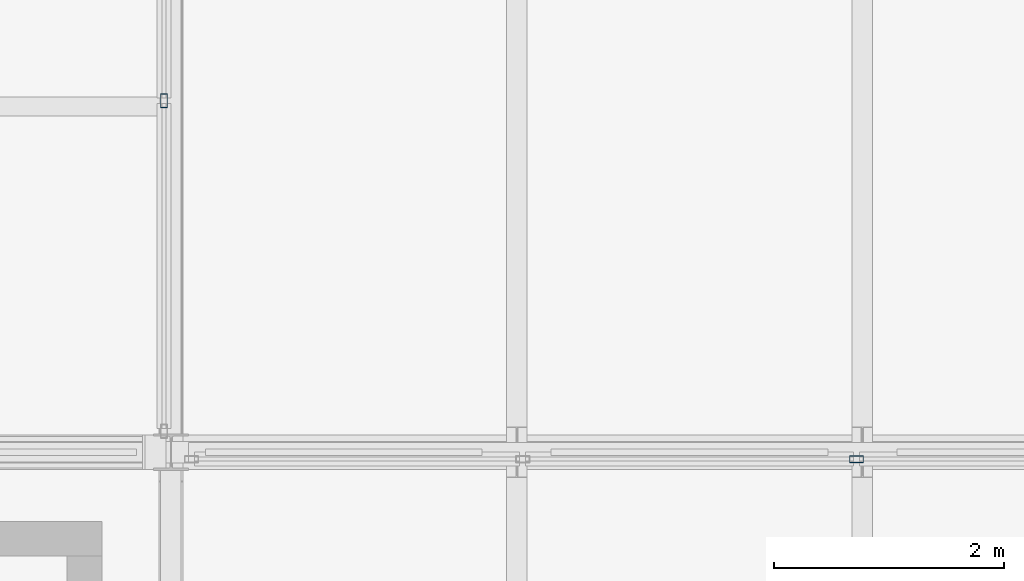
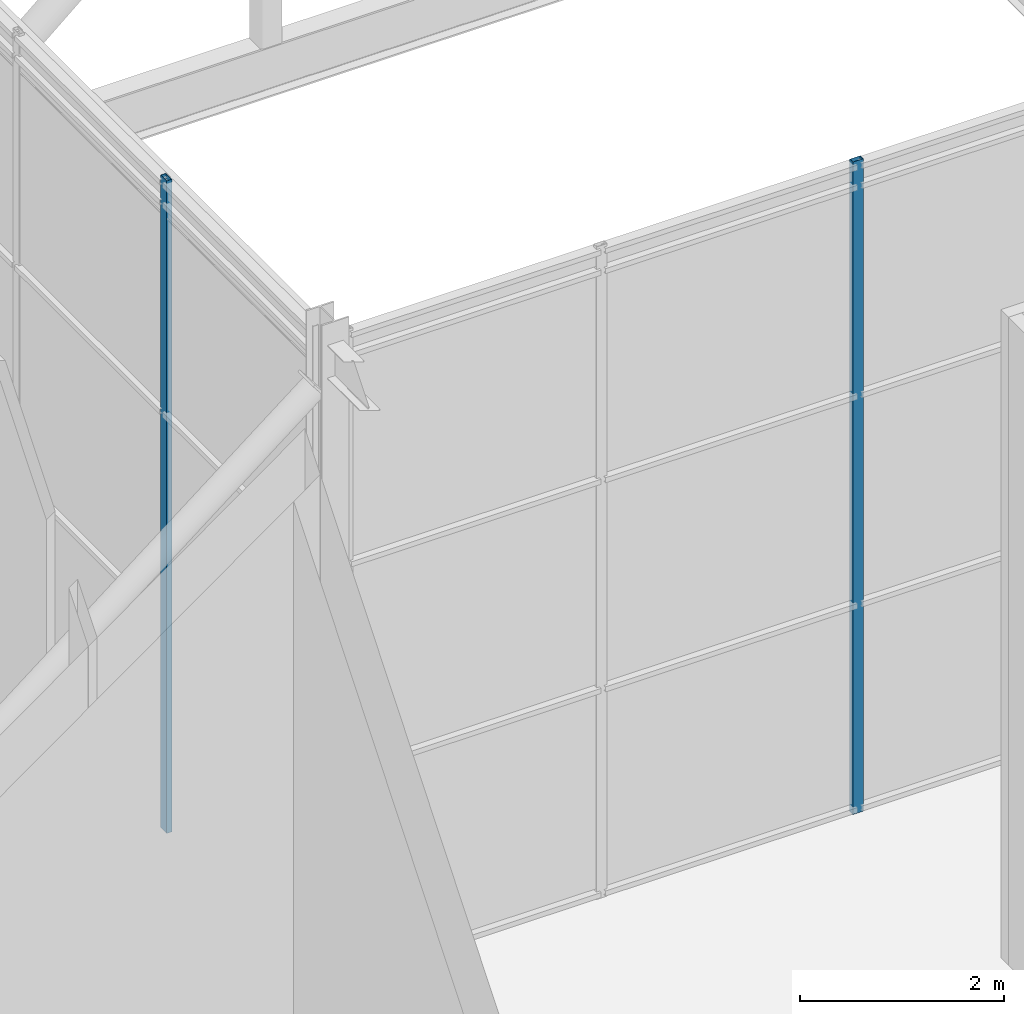
# One storey, part 21 of 144: 2 members, 2 elements without a shape of their own.
"""IFC4 building model written with IfcOpenShell, lengths in metres."""

from ifc_helpers import new_model, si_unit, direction, frame, origin, origin_2d, place, context, subcontext, project, spatial, hollow_rectangle, extrude, material, layer, layer_set, material_profile, profile_set, type_object, element, aggregate, save


model = new_model("IFC4")

# Units and contexts
model_context = context("Model", 3, precision=1e-05, world=origin(), true_north=direction((0.0, 1.0)))
body_context = subcontext(model_context, "Body", "Model", "MODEL_VIEW")
ifc_project = project(units=[si_unit("LENGTHUNIT", "METRE"), si_unit("AREAUNIT", "SQUARE_METRE"), si_unit("VOLUMEUNIT", "CUBIC_METRE"), si_unit("PLANEANGLEUNIT", "RADIAN"), si_unit("MASSUNIT", "GRAM", prefix="KILO")], contexts=[model_context])

# Site, building, storey
site_placement = place(None, origin())
site = spatial("IfcSite", under=ifc_project, at=site_placement, CompositionType="ELEMENT")
building_placement = place(site_placement, origin())
building = spatial("IfcBuilding", under=site, at=building_placement, Name="Shorebreak Coast Museum", CompositionType="ELEMENT")
storey_placement = place(building_placement, frame((0.0, 0.0, 36.0)))
storey = spatial("IfcBuildingStorey", under=building, at=storey_placement, Name="L06", CompositionType="ELEMENT", Elevation=36.0)

# Curtain wall, member
ifc_material_1 = material(Name="Aluminium", Category="aluminium")
ifc_layer = layer(ifc_material_1, 0.1201171875)
ifc_layer_set = layer_set([ifc_layer], Name="Aluminium")
curtain_wall_type = type_object("IfcCurtainWallType", Name="Atrium fire screen", PredefinedType="NOTDEFINED", material=ifc_layer_set)
curtain_wall_1_placement = place(storey_placement, origin())
curtain_wall_1 = element("IfcCurtainWall", 1, at=curtain_wall_1_placement, inside=storey, type_object=curtain_wall_type, Name="Atrium screen L06 S 79", PredefinedType="NOTDEFINED")
ifc_material_2 = material(Name="Aluminium", Category="aluminium")
ifc_material_profile = material_profile(ifc_material_2, hollow_rectangle(XDim=0.06005859375, YDim=0.1201171875, WallThickness=0.00341796875, at=origin_2d()), Name="AL 120x60 RHS")
ifc_profile_set = profile_set([ifc_material_profile], Name="Aluminium")
member_type = type_object("IfcMemberType", Name="Screen mullion 50 x 120", PredefinedType="MULLION", material=ifc_profile_set)
member_1_placement = place(storey_placement, frame((68.94873046875, 62.93994140625, 0.0), z_axis=(0.0, 0.0, 1.0), x_axis=(0.0, 1.0, 0.0)))
member_1 = element("IfcMember", 2, at=member_1_placement, type_object=member_type, Name="CW5 mullion 3", PredefinedType="MULLION", context=body_context, shape_type="SweptSolid", body=[
    extrude(hollow_rectangle(XDim=0.06005859375, YDim=0.1201171875, WallThickness=0.00341796875, at=origin_2d()), origin(), (0.0, 0.0, 1.0), 7.800048828125),
])
aggregate(curtain_wall_1, [member_1])

curtain_wall_2_placement = place(storey_placement, origin())
curtain_wall_2 = element("IfcCurtainWall", 3, at=curtain_wall_2_placement, inside=storey, type_object=curtain_wall_type, Name="Atrium screen L06 W 89", PredefinedType="NOTDEFINED")
member_2_placement = place(storey_placement, frame((62.93994140625, 66.05029296875, 0.0), z_axis=(0.0, 0.0, 1.0), x_axis=(-1.0, 0.0, 0.0)))
member_2 = element("IfcMember", 4, at=member_2_placement, type_object=member_type, Name="CW6 mullion 2", PredefinedType="MULLION", context=body_context, shape_type="SweptSolid", body=[
    extrude(hollow_rectangle(XDim=0.06005859375, YDim=0.1201171875, WallThickness=0.00341796875, at=origin_2d()), origin(), (0.0, 0.0, 1.0), 7.800048828125),
])
aggregate(curtain_wall_2, [member_2])

save(model, "model.ifc")
